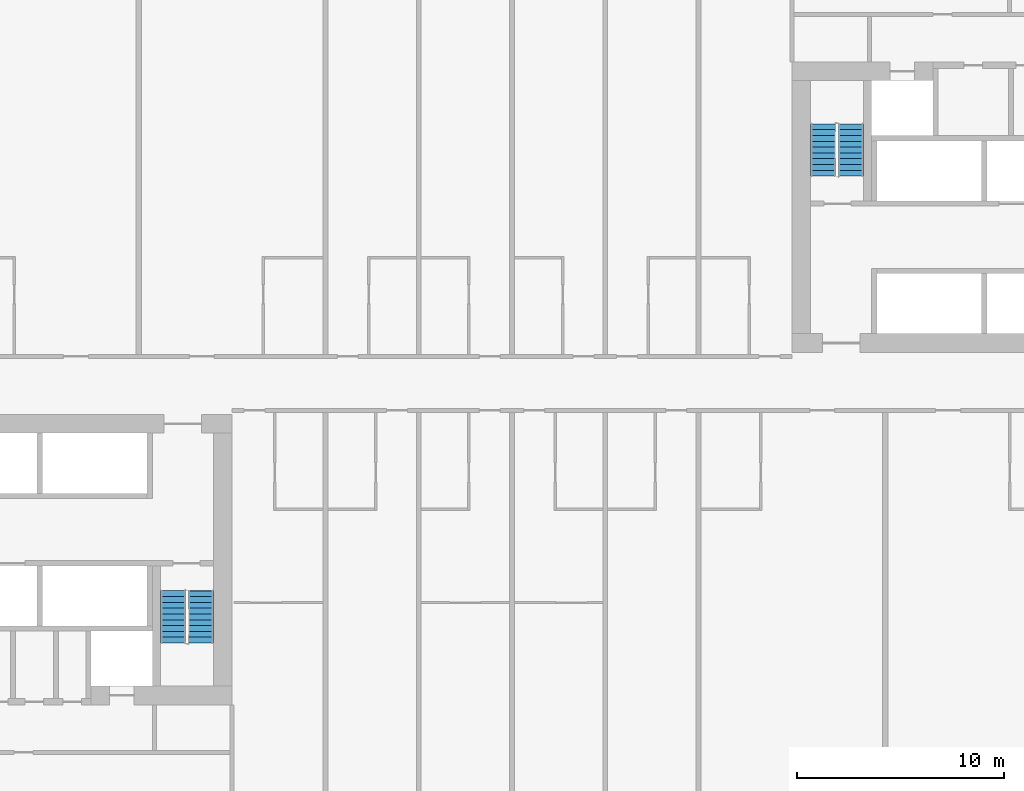
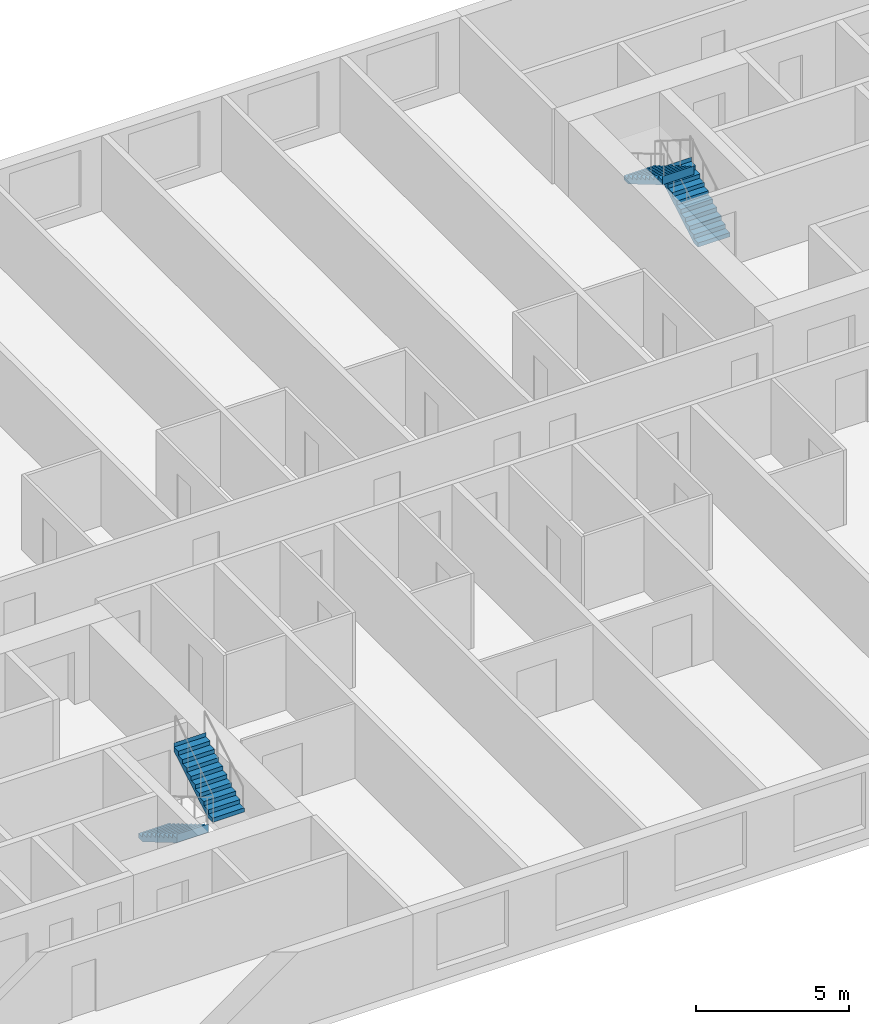
# One storey, part 10 of 12: 4 stair flights, 2 elements without a shape of their own.
"""IFC4 building model written with IfcOpenShell, lengths in metres."""

import ifcopenshell
import ifcopenshell.guid

model = None  # the IFC model being written
_history = None  # IfcOwnerHistory: only IFC2X3 demands one
_inside = {}  # id of a spatial element -> (the spatial element, [elements in it])
_under = {}  # id of a project, library or spatial element -> (it, [spatial elements below it])
_declared = {}  # id of a project -> (the project, [libraries it declares])
_typed = {}  # id of a type object -> (the type object, [elements of that type])
_made_of = {}  # id of a material, layer set ... -> (it, [elements and type objects made of it])


def new_model(schema):
    """Start an empty IFC model of exactly this schema.

    Asked for "IFC4X3", IfcOpenShell would pick the latest addendum, in which some entities
    have other attributes; the version numbers below select the first issue.
    IFC2X3 requires an IfcOwnerHistory on every rooted entity: one is made here for all.
    """
    global model, _history
    if schema == "IFC4X3":
        model = ifcopenshell.file(schema_version=(4, 3, 0, 0))
    else:
        model = ifcopenshell.file(schema=schema)
    _inside.clear()
    _under.clear()
    _declared.clear()
    _typed.clear()
    _made_of.clear()
    _history = None
    if model.schema == "IFC2X3":
        org = make("IfcOrganization", Name="unknown")
        user = make(
            "IfcPersonAndOrganization",
            ThePerson=make("IfcPerson", FamilyName="unknown"),
            TheOrganization=org,
        )
        app = make(
            "IfcApplication",
            ApplicationDeveloper=org,
            Version="unknown",
            ApplicationFullName="unknown",
            ApplicationIdentifier="unknown",
        )
        _history = make(
            "IfcOwnerHistory",
            OwningUser=user,
            OwningApplication=app,
            ChangeAction="ADDED",
            CreationDate=0,
        )
    return model


def make(cls, **values):
    """One entity of the class cls with the attributes given. An attribute that is None is left unset."""
    return model.create_entity(
        cls, **{name: value for name, value in values.items() if value is not None}
    )


def rooted(cls, **values):
    """An entity with a GlobalId (a new one), such as an element, a storey or a relation."""
    return make(cls, GlobalId=ifcopenshell.guid.new(), OwnerHistory=_history, **values)


def si_unit(unit_type, name, prefix=None):
    """IfcSIUnit, for example si_unit("LENGTHUNIT", "METRE", prefix="MILLI")."""
    return make("IfcSIUnit", UnitType=unit_type, Prefix=prefix, Name=name)


def assignment(units):
    """IfcUnitAssignment: the units of a project."""
    return None if units is None else make("IfcUnitAssignment", Units=units)


def point(xyz):
    """IfcCartesianPoint."""
    return None if xyz is None else make("IfcCartesianPoint", Coordinates=xyz)


def direction(xyz):
    """IfcDirection."""
    return None if xyz is None else make("IfcDirection", DirectionRatios=xyz)


def frame(location, z_axis=None, x_axis=None):
    """IfcAxis2Placement3D, a coordinate frame: its origin and axes. An axis left out is left unset."""
    return make(
        "IfcAxis2Placement3D",
        Location=point(location),
        Axis=direction(z_axis),
        RefDirection=direction(x_axis),
    )


def origin():
    """The frame at (0, 0, 0) with its axes left unset."""
    return frame((0.0, 0.0, 0.0))


def place(relative_to, where):
    """IfcLocalPlacement: puts the frame where relative to a parent placement (None: the world)."""
    return make(
        "IfcLocalPlacement", PlacementRelTo=relative_to, RelativePlacement=where
    )


def context(
    kind, dimensions, precision=None, world=None, true_north=None, identifier=None
):
    """IfcGeometricRepresentationContext, for example the 3D "Model" context."""
    return make(
        "IfcGeometricRepresentationContext",
        ContextIdentifier=identifier,
        ContextType=kind,
        CoordinateSpaceDimension=dimensions,
        Precision=precision,
        WorldCoordinateSystem=world,
        TrueNorth=true_north,
    )


def subcontext(parent, identifier, kind, view, scale=None):
    """IfcGeometricRepresentationSubContext, for example "Body" below "Model"."""
    return make(
        "IfcGeometricRepresentationSubContext",
        ContextIdentifier=identifier,
        ContextType=kind,
        ParentContext=parent,
        TargetScale=scale,
        TargetView=view,
    )


def project(units=None, contexts=None):
    """IfcProject with its units and contexts."""
    return rooted(
        "IfcProject",
        Name="project",
        RepresentationContexts=contexts,
        UnitsInContext=assignment(units),
    )


def spatial(cls, under=None, at=None, **own):
    """A site, building, storey or space (cls), placed at a placement, below another one or the project."""
    s = rooted(cls, ObjectPlacement=at, **own)
    if under is not None:
        _under.setdefault(under.id(), (under, []))[1].append(s)
    return s


def faces_of(points, faces, orient=None, outer=None):
    """IfcFace entities. A face is a list of loops; a loop is a list of indices into points, from 0.

    orient and outer hold one flag for each loop. By default every Orientation is true, the
    first loop of a face is its IfcFaceOuterBound and the others are IfcFaceBound.
    """
    made = []
    for i, loops in enumerate(faces):
        bounds = []
        for j, loop in enumerate(loops):
            is_outer = j == 0 if outer is None else outer[i][j]
            bounds.append(
                make(
                    "IfcFaceOuterBound" if is_outer else "IfcFaceBound",
                    Bound=make("IfcPolyLoop", Polygon=[points[k] for k in loop]),
                    Orientation=True if orient is None else orient[i][j],
                )
            )
        made.append(make("IfcFace", Bounds=bounds))
    return made


def faceted_brep(points, faces, orient=None, outer=None, voids=None):
    """IfcFacetedBrep: a solid bounded by flat faces; with voids (closed shells), ...WithVoids."""
    shared = [point(p) for p in points]
    hull = make("IfcClosedShell", CfsFaces=faces_of(shared, faces, orient, outer))
    if voids is None:
        return make("IfcFacetedBrep", Outer=hull)
    return make(
        "IfcFacetedBrepWithVoids",
        Outer=hull,
        Voids=[
            make(cls, CfsFaces=faces_of(shared, fs, o, b)) for cls, fs, o, b in voids
        ],
    )


def shape(context_of_items, identifier, shape_type, items):
    """IfcShapeRepresentation: the items that make up one representation, for example the "Body"."""
    return make(
        "IfcShapeRepresentation",
        ContextOfItems=context_of_items,
        RepresentationIdentifier=identifier,
        RepresentationType=shape_type,
        Items=items,
    )


def material(Name=None, Category=None):
    """IfcMaterial."""
    return make("IfcMaterial", Name=Name, Category=Category)


def made_of(thing, what):
    """Note that an element or type object is made of a material, layer set ...; save() writes the relation."""
    if what is not None:
        _made_of.setdefault(what.id(), (what, []))[1].append(thing)
    return thing


def type_object(cls, material=None, **own):
    """A type object (cls), such as IfcWallType, which elements share."""
    return made_of(rooted(cls, **own), material)


def element(
    cls,
    number,
    at=None,
    inside=None,
    cuts=None,
    type_object=None,
    material=None,
    context=None,
    identifier="Body",
    shape_type=None,
    held_by="IfcProductDefinitionShape",
    body=None,
    shapes=None,
    **own,
):
    """One element of the class cls, such as IfcWall. Its Tag is "e" and its number.

    at: its placement. inside: the storey or other place that contains it. cuts: it is an
    opening in that element (IfcRelVoidsElement). A single representation is given by context,
    identifier, shape_type and body (its items); several are given by shapes. held_by: the class
    of the entity that holds the representations. save() writes the other relations.
    """
    e = rooted(cls, Tag="e%d" % number, ObjectPlacement=at, **own)
    if body is not None:
        shapes = [shape(context, identifier, shape_type, body)]
    if shapes is not None:
        e.Representation = make(held_by, Representations=shapes)
    if inside is not None:
        _inside.setdefault(inside.id(), (inside, []))[1].append(e)
    if cuts is not None:
        rooted(
            "IfcRelVoidsElement", RelatingBuildingElement=cuts, RelatedOpeningElement=e
        )
    if type_object is not None:
        _typed.setdefault(type_object.id(), (type_object, []))[1].append(e)
    return made_of(e, material)


def aggregate(whole, parts):
    """IfcRelAggregates: a whole, such as a stair, and the parts it consists of."""
    return rooted("IfcRelAggregates", RelatingObject=whole, RelatedObjects=parts)


def save(model, path):
    """Write the relations noted so far, then the file.

    IfcRelAggregates (storeys below a building ...), IfcRelContainedInSpatialStructure (elements
    in a storey), IfcRelDefinesByType, IfcRelAssociatesMaterial and IfcRelDeclares: one each for
    every whole, place, type object, material and project.
    """
    for whole, parts in _under.values():
        aggregate(whole, parts)
    for where, things in _inside.values():
        rooted(
            "IfcRelContainedInSpatialStructure",
            RelatedElements=things,
            RelatingStructure=where,
        )
    for kind, things in _typed.values():
        rooted("IfcRelDefinesByType", RelatedObjects=things, RelatingType=kind)
    for what, things in _made_of.values():
        rooted("IfcRelAssociatesMaterial", RelatedObjects=things, RelatingMaterial=what)
    for by, libraries in _declared.values():
        rooted("IfcRelDeclares", RelatingContext=by, RelatedDefinitions=libraries)
    model.write(path)


model = new_model("IFC4")

# Units and contexts
model_context = context("Model", 3, precision=1e-05, world=origin(), true_north=direction((0.0, 1.0)))
body_context = subcontext(model_context, "Body", "Model", "MODEL_VIEW")
ifc_project = project(units=[si_unit("LENGTHUNIT", "METRE"), si_unit("AREAUNIT", "SQUARE_METRE"), si_unit("VOLUMEUNIT", "CUBIC_METRE"), si_unit("PLANEANGLEUNIT", "RADIAN"), si_unit("MASSUNIT", "GRAM", prefix="KILO")], contexts=[model_context])

# Site, building, storey
site_placement = place(None, origin())
site = spatial("IfcSite", under=ifc_project, at=site_placement, CompositionType="ELEMENT")
building_placement = place(site_placement, origin())
building = spatial("IfcBuilding", under=site, at=building_placement, Name="Kajstack Hotel Tower", CompositionType="ELEMENT")
storey_placement = place(building_placement, frame((0.0, 0.0, 96.300048828125)))
storey = spatial("IfcBuildingStorey", under=building, at=storey_placement, Name="L20", CompositionType="ELEMENT", Elevation=96.300048828125)

# Stair, stair flights
ifc_material = material(Name="Concrete C40/50", Category="concrete")
stair_type = type_object("IfcStairType", Name="Exit stair 1200", PredefinedType="HALF_TURN_STAIR", material=ifc_material)
stair_1_placement = place(storey_placement, origin())
stair_1 = element("IfcStair", 1, at=stair_1_placement, inside=storey, type_object=stair_type, Name="L20 stair W2", PredefinedType="HALF_TURN_STAIR")
stair_flight_type = type_object("IfcStairFlightType", Name="Exit stair flight 1200", PredefinedType="STRAIGHT", material=ifc_material)
stair_flight_1_placement = place(storey_placement, frame((-16.35009765625, -10.0, 0.0), z_axis=(0.0, 0.0, 1.0), x_axis=(0.0, -1.0, 0.0)))
stair_flight_1 = element("IfcStairFlight", 2, at=stair_flight_1_placement, type_object=stair_flight_type, Name="W2 flight 1", NumberOfRisers=10, NumberOfTreads=9, PredefinedType="STRAIGHT", RiserHeight=0.165, TreadLength=0.28, context=body_context, shape_type="Brep", body=[
    faceted_brep([(0.295654296875, -0.60009765625, 0.0), (2.5205078125, -0.60009765625, 1.31103515625), (2.5205078125, -0.60009765625, 1.64990234375), (2.52001953125, -0.60009765625, 1.64990234375), (2.52001953125, -0.60009765625, 1.485107421875), (2.239990234375, -0.60009765625, 1.485107421875), (2.239990234375, -0.60009765625, 1.320068359375), (1.9599609375, -0.60009765625, 1.320068359375), (1.9599609375, -0.60009765625, 1.155029296875), (1.679931640625, -0.60009765625, 1.155029296875), (1.679931640625, -0.60009765625, 0.989990234375), (1.39990234375, -0.60009765625, 0.989990234375), (1.39990234375, -0.60009765625, 0.824951171875), (1.1201171875, -0.60009765625, 0.824951171875), (1.1201171875, -0.60009765625, 0.659912109375), (0.840087890625, -0.60009765625, 0.659912109375), (0.840087890625, -0.60009765625, 0.4951171875), (0.56005859375, -0.60009765625, 0.4951171875), (0.56005859375, -0.60009765625, 0.330078125), (0.280029296875, -0.60009765625, 0.330078125), (0.280029296875, -0.60009765625, 0.1650390625), (-0.00048828125, -0.60009765625, 0.1650390625), (-0.00048828125, -0.60009765625, 0.0), (-0.00048828125, 0.60009765625, 0.0), (-0.00048828125, 0.60009765625, 0.1650390625), (0.280029296875, 0.60009765625, 0.1650390625), (0.280029296875, 0.60009765625, 0.330078125), (0.56005859375, 0.60009765625, 0.330078125), (0.56005859375, 0.60009765625, 0.4951171875), (0.840087890625, 0.60009765625, 0.4951171875), (0.840087890625, 0.60009765625, 0.659912109375), (1.1201171875, 0.60009765625, 0.659912109375), (1.1201171875, 0.60009765625, 0.824951171875), (1.39990234375, 0.60009765625, 0.824951171875), (1.39990234375, 0.60009765625, 0.989990234375), (1.679931640625, 0.60009765625, 0.989990234375), (1.679931640625, 0.60009765625, 1.155029296875), (1.9599609375, 0.60009765625, 1.155029296875), (1.9599609375, 0.60009765625, 1.320068359375), (2.239990234375, 0.60009765625, 1.320068359375), (2.239990234375, 0.60009765625, 1.485107421875), (2.52001953125, 0.60009765625, 1.485107421875), (2.52001953125, 0.60009765625, 1.64990234375), (2.5205078125, 0.60009765625, 1.64990234375), (2.5205078125, 0.60009765625, 1.31103515625), (0.295654296875, 0.60009765625, 0.0), (-0.00048828125, -0.300048828125, 0.1650390625), (-0.00048828125, 0.0, 0.1650390625), (-0.00048828125, 0.300048828125, 0.1650390625), (-0.00048828125, 0.300048828125, 0.0), (-0.00048828125, 0.0, 0.0), (-0.00048828125, -0.300048828125, 0.0), (0.280029296875, -0.300048828125, 0.1650390625), (0.280029296875, 0.0, 0.1650390625), (0.280029296875, 0.300048828125, 0.1650390625), (0.280029296875, -0.300048828125, 0.330078125), (0.280029296875, 0.0, 0.330078125), (0.280029296875, 0.300048828125, 0.330078125), (0.56005859375, -0.300048828125, 0.330078125), (0.56005859375, 0.0, 0.330078125), (0.56005859375, 0.300048828125, 0.330078125), (0.56005859375, -0.300048828125, 0.4951171875), (0.56005859375, 0.0, 0.4951171875), (0.56005859375, 0.300048828125, 0.4951171875), (0.840087890625, -0.300048828125, 0.4951171875), (0.840087890625, 0.0, 0.4951171875), (0.840087890625, 0.300048828125, 0.4951171875), (0.840087890625, -0.300048828125, 0.659912109375), (0.840087890625, 0.0, 0.659912109375), (0.840087890625, 0.300048828125, 0.659912109375), (1.1201171875, -0.300048828125, 0.659912109375), (1.1201171875, 0.0, 0.659912109375), (1.1201171875, 0.300048828125, 0.659912109375), (1.1201171875, -0.300048828125, 0.824951171875), (1.1201171875, 0.0, 0.824951171875), (1.1201171875, 0.300048828125, 0.824951171875), (1.39990234375, -0.300048828125, 0.824951171875), (1.39990234375, 0.0, 0.824951171875), (1.39990234375, 0.300048828125, 0.824951171875), (1.39990234375, -0.300048828125, 0.989990234375), (1.39990234375, 0.0, 0.989990234375), (1.39990234375, 0.300048828125, 0.989990234375), (1.679931640625, -0.300048828125, 0.989990234375), (1.679931640625, 0.0, 0.989990234375), (1.679931640625, 0.300048828125, 0.989990234375), (1.679931640625, -0.300048828125, 1.155029296875), (1.679931640625, 0.0, 1.155029296875), (1.679931640625, 0.300048828125, 1.155029296875), (1.9599609375, -0.300048828125, 1.155029296875), (1.9599609375, 0.0, 1.155029296875), (1.9599609375, 0.300048828125, 1.155029296875), (1.9599609375, -0.300048828125, 1.320068359375), (1.9599609375, 0.0, 1.320068359375), (1.9599609375, 0.300048828125, 1.320068359375), (2.239990234375, -0.300048828125, 1.320068359375), (2.239990234375, 0.0, 1.320068359375), (2.239990234375, 0.300048828125, 1.320068359375), (2.239990234375, -0.300048828125, 1.485107421875), (2.239990234375, 0.0, 1.485107421875), (2.239990234375, 0.300048828125, 1.485107421875), (2.52001953125, -0.300048828125, 1.485107421875), (2.52001953125, 0.0, 1.485107421875), (2.52001953125, 0.300048828125, 1.485107421875), (2.52001953125, -0.300048828125, 1.64990234375), (2.52001953125, 0.0, 1.64990234375), (2.52001953125, 0.300048828125, 1.64990234375), (2.5205078125, -0.300048828125, 1.64990234375), (2.5205078125, 0.0, 1.64990234375), (2.5205078125, 0.300048828125, 1.64990234375), (2.5205078125, -0.300048828125, 1.31103515625), (2.5205078125, 0.0, 1.31103515625), (2.5205078125, 0.300048828125, 1.31103515625), (0.295654296875, -0.300048828125, 0.0), (0.295654296875, 0.0, 0.0), (0.295654296875, 0.300048828125, 0.0)], [[[0, 1, 2, 3, 4, 5, 6, 7, 8, 9, 10, 11, 12, 13, 14, 15, 16, 17, 18, 19, 20, 21, 22]], [[23, 24, 25, 26, 27, 28, 29, 30, 31, 32, 33, 34, 35, 36, 37, 38, 39, 40, 41, 42, 43, 44, 45]], [[21, 46, 47, 48, 24, 23, 49, 50, 51, 22]], [[20, 52, 53, 54, 25, 24, 48, 47, 46, 21]], [[19, 55, 56, 57, 26, 25, 54, 53, 52, 20]], [[18, 58, 59, 60, 27, 26, 57, 56, 55, 19]], [[17, 61, 62, 63, 28, 27, 60, 59, 58, 18]], [[16, 64, 65, 66, 29, 28, 63, 62, 61, 17]], [[15, 67, 68, 69, 30, 29, 66, 65, 64, 16]], [[14, 70, 71, 72, 31, 30, 69, 68, 67, 15]], [[13, 73, 74, 75, 32, 31, 72, 71, 70, 14]], [[12, 76, 77, 78, 33, 32, 75, 74, 73, 13]], [[11, 79, 80, 81, 34, 33, 78, 77, 76, 12]], [[10, 82, 83, 84, 35, 34, 81, 80, 79, 11]], [[9, 85, 86, 87, 36, 35, 84, 83, 82, 10]], [[8, 88, 89, 90, 37, 36, 87, 86, 85, 9]], [[7, 91, 92, 93, 38, 37, 90, 89, 88, 8]], [[6, 94, 95, 96, 39, 38, 93, 92, 91, 7]], [[5, 97, 98, 99, 40, 39, 96, 95, 94, 6]], [[4, 100, 101, 102, 41, 40, 99, 98, 97, 5]], [[3, 103, 104, 105, 42, 41, 102, 101, 100, 4]], [[2, 106, 107, 108, 43, 42, 105, 104, 103, 3]], [[1, 109, 110, 111, 44, 43, 108, 107, 106, 2]], [[0, 112, 113, 114, 45, 44, 111, 110, 109, 1]], [[22, 51, 50, 49, 23, 45, 114, 113, 112, 0]]]),
])
stair_flight_2_placement = place(storey_placement, frame((-15.0, -12.52001953125, 1.64990234375), z_axis=(0.0, 0.0, 1.0), x_axis=(0.0, 1.0, 0.0)))
stair_flight_2 = element("IfcStairFlight", 3, at=stair_flight_2_placement, type_object=stair_flight_type, Name="W2 flight 2", NumberOfRisers=10, NumberOfTreads=9, PredefinedType="STRAIGHT", RiserHeight=0.165, TreadLength=0.28, context=body_context, shape_type="Brep", body=[
    faceted_brep([(0.295654296875, -0.60009765625, 0.0), (2.5205078125, -0.60009765625, 1.31103515625), (2.5205078125, -0.60009765625, 1.64990234375), (2.52001953125, -0.60009765625, 1.64990234375), (2.52001953125, -0.60009765625, 1.485107421875), (2.239990234375, -0.60009765625, 1.485107421875), (2.239990234375, -0.60009765625, 1.320068359375), (1.9599609375, -0.60009765625, 1.320068359375), (1.9599609375, -0.60009765625, 1.155029296875), (1.679931640625, -0.60009765625, 1.155029296875), (1.679931640625, -0.60009765625, 0.989990234375), (1.39990234375, -0.60009765625, 0.989990234375), (1.39990234375, -0.60009765625, 0.824951171875), (1.1201171875, -0.60009765625, 0.824951171875), (1.1201171875, -0.60009765625, 0.659912109375), (0.840087890625, -0.60009765625, 0.659912109375), (0.840087890625, -0.60009765625, 0.4951171875), (0.56005859375, -0.60009765625, 0.4951171875), (0.56005859375, -0.60009765625, 0.330078125), (0.280029296875, -0.60009765625, 0.330078125), (0.280029296875, -0.60009765625, 0.1650390625), (-0.00048828125, -0.60009765625, 0.1650390625), (-0.00048828125, -0.60009765625, 0.0), (-0.00048828125, 0.60009765625, 0.0), (-0.00048828125, 0.60009765625, 0.1650390625), (0.280029296875, 0.60009765625, 0.1650390625), (0.280029296875, 0.60009765625, 0.330078125), (0.56005859375, 0.60009765625, 0.330078125), (0.56005859375, 0.60009765625, 0.4951171875), (0.840087890625, 0.60009765625, 0.4951171875), (0.840087890625, 0.60009765625, 0.659912109375), (1.1201171875, 0.60009765625, 0.659912109375), (1.1201171875, 0.60009765625, 0.824951171875), (1.39990234375, 0.60009765625, 0.824951171875), (1.39990234375, 0.60009765625, 0.989990234375), (1.679931640625, 0.60009765625, 0.989990234375), (1.679931640625, 0.60009765625, 1.155029296875), (1.9599609375, 0.60009765625, 1.155029296875), (1.9599609375, 0.60009765625, 1.320068359375), (2.239990234375, 0.60009765625, 1.320068359375), (2.239990234375, 0.60009765625, 1.485107421875), (2.52001953125, 0.60009765625, 1.485107421875), (2.52001953125, 0.60009765625, 1.64990234375), (2.5205078125, 0.60009765625, 1.64990234375), (2.5205078125, 0.60009765625, 1.31103515625), (0.295654296875, 0.60009765625, 0.0), (-0.00048828125, -0.300048828125, 0.1650390625), (-0.00048828125, 0.0, 0.1650390625), (-0.00048828125, 0.300048828125, 0.1650390625), (-0.00048828125, 0.300048828125, 0.0), (-0.00048828125, 0.0, 0.0), (-0.00048828125, -0.300048828125, 0.0), (0.280029296875, -0.300048828125, 0.1650390625), (0.280029296875, 0.0, 0.1650390625), (0.280029296875, 0.300048828125, 0.1650390625), (0.280029296875, -0.300048828125, 0.330078125), (0.280029296875, 0.0, 0.330078125), (0.280029296875, 0.300048828125, 0.330078125), (0.56005859375, -0.300048828125, 0.330078125), (0.56005859375, 0.0, 0.330078125), (0.56005859375, 0.300048828125, 0.330078125), (0.56005859375, -0.300048828125, 0.4951171875), (0.56005859375, 0.0, 0.4951171875), (0.56005859375, 0.300048828125, 0.4951171875), (0.840087890625, -0.300048828125, 0.4951171875), (0.840087890625, 0.0, 0.4951171875), (0.840087890625, 0.300048828125, 0.4951171875), (0.840087890625, -0.300048828125, 0.659912109375), (0.840087890625, 0.0, 0.659912109375), (0.840087890625, 0.300048828125, 0.659912109375), (1.1201171875, -0.300048828125, 0.659912109375), (1.1201171875, 0.0, 0.659912109375), (1.1201171875, 0.300048828125, 0.659912109375), (1.1201171875, -0.300048828125, 0.824951171875), (1.1201171875, 0.0, 0.824951171875), (1.1201171875, 0.300048828125, 0.824951171875), (1.39990234375, -0.300048828125, 0.824951171875), (1.39990234375, 0.0, 0.824951171875), (1.39990234375, 0.300048828125, 0.824951171875), (1.39990234375, -0.300048828125, 0.989990234375), (1.39990234375, 0.0, 0.989990234375), (1.39990234375, 0.300048828125, 0.989990234375), (1.679931640625, -0.300048828125, 0.989990234375), (1.679931640625, 0.0, 0.989990234375), (1.679931640625, 0.300048828125, 0.989990234375), (1.679931640625, -0.300048828125, 1.155029296875), (1.679931640625, 0.0, 1.155029296875), (1.679931640625, 0.300048828125, 1.155029296875), (1.9599609375, -0.300048828125, 1.155029296875), (1.9599609375, 0.0, 1.155029296875), (1.9599609375, 0.300048828125, 1.155029296875), (1.9599609375, -0.300048828125, 1.320068359375), (1.9599609375, 0.0, 1.320068359375), (1.9599609375, 0.300048828125, 1.320068359375), (2.239990234375, -0.300048828125, 1.320068359375), (2.239990234375, 0.0, 1.320068359375), (2.239990234375, 0.300048828125, 1.320068359375), (2.239990234375, -0.300048828125, 1.485107421875), (2.239990234375, 0.0, 1.485107421875), (2.239990234375, 0.300048828125, 1.485107421875), (2.52001953125, -0.300048828125, 1.485107421875), (2.52001953125, 0.0, 1.485107421875), (2.52001953125, 0.300048828125, 1.485107421875), (2.52001953125, -0.300048828125, 1.64990234375), (2.52001953125, 0.0, 1.64990234375), (2.52001953125, 0.300048828125, 1.64990234375), (2.5205078125, -0.300048828125, 1.64990234375), (2.5205078125, 0.0, 1.64990234375), (2.5205078125, 0.300048828125, 1.64990234375), (2.5205078125, -0.300048828125, 1.31103515625), (2.5205078125, 0.0, 1.31103515625), (2.5205078125, 0.300048828125, 1.31103515625), (0.295654296875, -0.300048828125, 0.0), (0.295654296875, 0.0, 0.0), (0.295654296875, 0.300048828125, 0.0)], [[[0, 1, 2, 3, 4, 5, 6, 7, 8, 9, 10, 11, 12, 13, 14, 15, 16, 17, 18, 19, 20, 21, 22]], [[23, 24, 25, 26, 27, 28, 29, 30, 31, 32, 33, 34, 35, 36, 37, 38, 39, 40, 41, 42, 43, 44, 45]], [[21, 46, 47, 48, 24, 23, 49, 50, 51, 22]], [[20, 52, 53, 54, 25, 24, 48, 47, 46, 21]], [[19, 55, 56, 57, 26, 25, 54, 53, 52, 20]], [[18, 58, 59, 60, 27, 26, 57, 56, 55, 19]], [[17, 61, 62, 63, 28, 27, 60, 59, 58, 18]], [[16, 64, 65, 66, 29, 28, 63, 62, 61, 17]], [[15, 67, 68, 69, 30, 29, 66, 65, 64, 16]], [[14, 70, 71, 72, 31, 30, 69, 68, 67, 15]], [[13, 73, 74, 75, 32, 31, 72, 71, 70, 14]], [[12, 76, 77, 78, 33, 32, 75, 74, 73, 13]], [[11, 79, 80, 81, 34, 33, 78, 77, 76, 12]], [[10, 82, 83, 84, 35, 34, 81, 80, 79, 11]], [[9, 85, 86, 87, 36, 35, 84, 83, 82, 10]], [[8, 88, 89, 90, 37, 36, 87, 86, 85, 9]], [[7, 91, 92, 93, 38, 37, 90, 89, 88, 8]], [[6, 94, 95, 96, 39, 38, 93, 92, 91, 7]], [[5, 97, 98, 99, 40, 39, 96, 95, 94, 6]], [[4, 100, 101, 102, 41, 40, 99, 98, 97, 5]], [[3, 103, 104, 105, 42, 41, 102, 101, 100, 4]], [[2, 106, 107, 108, 43, 42, 105, 104, 103, 3]], [[1, 109, 110, 111, 44, 43, 108, 107, 106, 2]], [[0, 112, 113, 114, 45, 44, 111, 110, 109, 1]], [[22, 51, 50, 49, 23, 45, 114, 113, 112, 0]]]),
])
aggregate(stair_1, [stair_flight_1, stair_flight_2])

stair_2_placement = place(storey_placement, origin())
stair_2 = element("IfcStair", 4, at=stair_2_placement, inside=storey, type_object=stair_type, Name="L20 stair E2", PredefinedType="HALF_TURN_STAIR")
stair_flight_3_placement = place(storey_placement, frame((16.35009765625, 10.0, 0.0), z_axis=(0.0, 0.0, 1.0), x_axis=(0.0, 1.0, 0.0)))
stair_flight_3 = element("IfcStairFlight", 5, at=stair_flight_3_placement, type_object=stair_flight_type, Name="E2 flight 1", NumberOfRisers=10, NumberOfTreads=9, PredefinedType="STRAIGHT", RiserHeight=0.165, TreadLength=0.28, context=body_context, shape_type="Brep", body=[
    faceted_brep([(0.295654296875, -0.60009765625, 0.0), (2.5205078125, -0.60009765625, 1.31103515625), (2.5205078125, -0.60009765625, 1.64990234375), (2.52001953125, -0.60009765625, 1.64990234375), (2.52001953125, -0.60009765625, 1.485107421875), (2.239990234375, -0.60009765625, 1.485107421875), (2.239990234375, -0.60009765625, 1.320068359375), (1.9599609375, -0.60009765625, 1.320068359375), (1.9599609375, -0.60009765625, 1.155029296875), (1.679931640625, -0.60009765625, 1.155029296875), (1.679931640625, -0.60009765625, 0.989990234375), (1.39990234375, -0.60009765625, 0.989990234375), (1.39990234375, -0.60009765625, 0.824951171875), (1.1201171875, -0.60009765625, 0.824951171875), (1.1201171875, -0.60009765625, 0.659912109375), (0.840087890625, -0.60009765625, 0.659912109375), (0.840087890625, -0.60009765625, 0.4951171875), (0.56005859375, -0.60009765625, 0.4951171875), (0.56005859375, -0.60009765625, 0.330078125), (0.280029296875, -0.60009765625, 0.330078125), (0.280029296875, -0.60009765625, 0.1650390625), (-0.00048828125, -0.60009765625, 0.1650390625), (-0.00048828125, -0.60009765625, 0.0), (-0.00048828125, 0.60009765625, 0.0), (-0.00048828125, 0.60009765625, 0.1650390625), (0.280029296875, 0.60009765625, 0.1650390625), (0.280029296875, 0.60009765625, 0.330078125), (0.56005859375, 0.60009765625, 0.330078125), (0.56005859375, 0.60009765625, 0.4951171875), (0.840087890625, 0.60009765625, 0.4951171875), (0.840087890625, 0.60009765625, 0.659912109375), (1.1201171875, 0.60009765625, 0.659912109375), (1.1201171875, 0.60009765625, 0.824951171875), (1.39990234375, 0.60009765625, 0.824951171875), (1.39990234375, 0.60009765625, 0.989990234375), (1.679931640625, 0.60009765625, 0.989990234375), (1.679931640625, 0.60009765625, 1.155029296875), (1.9599609375, 0.60009765625, 1.155029296875), (1.9599609375, 0.60009765625, 1.320068359375), (2.239990234375, 0.60009765625, 1.320068359375), (2.239990234375, 0.60009765625, 1.485107421875), (2.52001953125, 0.60009765625, 1.485107421875), (2.52001953125, 0.60009765625, 1.64990234375), (2.5205078125, 0.60009765625, 1.64990234375), (2.5205078125, 0.60009765625, 1.31103515625), (0.295654296875, 0.60009765625, 0.0), (-0.00048828125, -0.300048828125, 0.1650390625), (-0.00048828125, 0.0, 0.1650390625), (-0.00048828125, 0.300048828125, 0.1650390625), (-0.00048828125, 0.300048828125, 0.0), (-0.00048828125, 0.0, 0.0), (-0.00048828125, -0.300048828125, 0.0), (0.280029296875, -0.300048828125, 0.1650390625), (0.280029296875, 0.0, 0.1650390625), (0.280029296875, 0.300048828125, 0.1650390625), (0.280029296875, -0.300048828125, 0.330078125), (0.280029296875, 0.0, 0.330078125), (0.280029296875, 0.300048828125, 0.330078125), (0.56005859375, -0.300048828125, 0.330078125), (0.56005859375, 0.0, 0.330078125), (0.56005859375, 0.300048828125, 0.330078125), (0.56005859375, -0.300048828125, 0.4951171875), (0.56005859375, 0.0, 0.4951171875), (0.56005859375, 0.300048828125, 0.4951171875), (0.840087890625, -0.300048828125, 0.4951171875), (0.840087890625, 0.0, 0.4951171875), (0.840087890625, 0.300048828125, 0.4951171875), (0.840087890625, -0.300048828125, 0.659912109375), (0.840087890625, 0.0, 0.659912109375), (0.840087890625, 0.300048828125, 0.659912109375), (1.1201171875, -0.300048828125, 0.659912109375), (1.1201171875, 0.0, 0.659912109375), (1.1201171875, 0.300048828125, 0.659912109375), (1.1201171875, -0.300048828125, 0.824951171875), (1.1201171875, 0.0, 0.824951171875), (1.1201171875, 0.300048828125, 0.824951171875), (1.39990234375, -0.300048828125, 0.824951171875), (1.39990234375, 0.0, 0.824951171875), (1.39990234375, 0.300048828125, 0.824951171875), (1.39990234375, -0.300048828125, 0.989990234375), (1.39990234375, 0.0, 0.989990234375), (1.39990234375, 0.300048828125, 0.989990234375), (1.679931640625, -0.300048828125, 0.989990234375), (1.679931640625, 0.0, 0.989990234375), (1.679931640625, 0.300048828125, 0.989990234375), (1.679931640625, -0.300048828125, 1.155029296875), (1.679931640625, 0.0, 1.155029296875), (1.679931640625, 0.300048828125, 1.155029296875), (1.9599609375, -0.300048828125, 1.155029296875), (1.9599609375, 0.0, 1.155029296875), (1.9599609375, 0.300048828125, 1.155029296875), (1.9599609375, -0.300048828125, 1.320068359375), (1.9599609375, 0.0, 1.320068359375), (1.9599609375, 0.300048828125, 1.320068359375), (2.239990234375, -0.300048828125, 1.320068359375), (2.239990234375, 0.0, 1.320068359375), (2.239990234375, 0.300048828125, 1.320068359375), (2.239990234375, -0.300048828125, 1.485107421875), (2.239990234375, 0.0, 1.485107421875), (2.239990234375, 0.300048828125, 1.485107421875), (2.52001953125, -0.300048828125, 1.485107421875), (2.52001953125, 0.0, 1.485107421875), (2.52001953125, 0.300048828125, 1.485107421875), (2.52001953125, -0.300048828125, 1.64990234375), (2.52001953125, 0.0, 1.64990234375), (2.52001953125, 0.300048828125, 1.64990234375), (2.5205078125, -0.300048828125, 1.64990234375), (2.5205078125, 0.0, 1.64990234375), (2.5205078125, 0.300048828125, 1.64990234375), (2.5205078125, -0.300048828125, 1.31103515625), (2.5205078125, 0.0, 1.31103515625), (2.5205078125, 0.300048828125, 1.31103515625), (0.295654296875, -0.300048828125, 0.0), (0.295654296875, 0.0, 0.0), (0.295654296875, 0.300048828125, 0.0)], [[[0, 1, 2, 3, 4, 5, 6, 7, 8, 9, 10, 11, 12, 13, 14, 15, 16, 17, 18, 19, 20, 21, 22]], [[23, 24, 25, 26, 27, 28, 29, 30, 31, 32, 33, 34, 35, 36, 37, 38, 39, 40, 41, 42, 43, 44, 45]], [[21, 46, 47, 48, 24, 23, 49, 50, 51, 22]], [[20, 52, 53, 54, 25, 24, 48, 47, 46, 21]], [[19, 55, 56, 57, 26, 25, 54, 53, 52, 20]], [[18, 58, 59, 60, 27, 26, 57, 56, 55, 19]], [[17, 61, 62, 63, 28, 27, 60, 59, 58, 18]], [[16, 64, 65, 66, 29, 28, 63, 62, 61, 17]], [[15, 67, 68, 69, 30, 29, 66, 65, 64, 16]], [[14, 70, 71, 72, 31, 30, 69, 68, 67, 15]], [[13, 73, 74, 75, 32, 31, 72, 71, 70, 14]], [[12, 76, 77, 78, 33, 32, 75, 74, 73, 13]], [[11, 79, 80, 81, 34, 33, 78, 77, 76, 12]], [[10, 82, 83, 84, 35, 34, 81, 80, 79, 11]], [[9, 85, 86, 87, 36, 35, 84, 83, 82, 10]], [[8, 88, 89, 90, 37, 36, 87, 86, 85, 9]], [[7, 91, 92, 93, 38, 37, 90, 89, 88, 8]], [[6, 94, 95, 96, 39, 38, 93, 92, 91, 7]], [[5, 97, 98, 99, 40, 39, 96, 95, 94, 6]], [[4, 100, 101, 102, 41, 40, 99, 98, 97, 5]], [[3, 103, 104, 105, 42, 41, 102, 101, 100, 4]], [[2, 106, 107, 108, 43, 42, 105, 104, 103, 3]], [[1, 109, 110, 111, 44, 43, 108, 107, 106, 2]], [[0, 112, 113, 114, 45, 44, 111, 110, 109, 1]], [[22, 51, 50, 49, 23, 45, 114, 113, 112, 0]]]),
])
stair_flight_4_placement = place(storey_placement, frame((15.0, 12.52001953125, 1.64990234375), z_axis=(0.0, 0.0, 1.0), x_axis=(0.0, -1.0, 0.0)))
stair_flight_4 = element("IfcStairFlight", 6, at=stair_flight_4_placement, type_object=stair_flight_type, Name="E2 flight 2", NumberOfRisers=10, NumberOfTreads=9, PredefinedType="STRAIGHT", RiserHeight=0.165, TreadLength=0.28, context=body_context, shape_type="Brep", body=[
    faceted_brep([(0.295654296875, -0.60009765625, 0.0), (2.5205078125, -0.60009765625, 1.31103515625), (2.5205078125, -0.60009765625, 1.64990234375), (2.52001953125, -0.60009765625, 1.64990234375), (2.52001953125, -0.60009765625, 1.485107421875), (2.239990234375, -0.60009765625, 1.485107421875), (2.239990234375, -0.60009765625, 1.320068359375), (1.9599609375, -0.60009765625, 1.320068359375), (1.9599609375, -0.60009765625, 1.155029296875), (1.679931640625, -0.60009765625, 1.155029296875), (1.679931640625, -0.60009765625, 0.989990234375), (1.39990234375, -0.60009765625, 0.989990234375), (1.39990234375, -0.60009765625, 0.824951171875), (1.1201171875, -0.60009765625, 0.824951171875), (1.1201171875, -0.60009765625, 0.659912109375), (0.840087890625, -0.60009765625, 0.659912109375), (0.840087890625, -0.60009765625, 0.4951171875), (0.56005859375, -0.60009765625, 0.4951171875), (0.56005859375, -0.60009765625, 0.330078125), (0.280029296875, -0.60009765625, 0.330078125), (0.280029296875, -0.60009765625, 0.1650390625), (-0.00048828125, -0.60009765625, 0.1650390625), (-0.00048828125, -0.60009765625, 0.0), (-0.00048828125, 0.60009765625, 0.0), (-0.00048828125, 0.60009765625, 0.1650390625), (0.280029296875, 0.60009765625, 0.1650390625), (0.280029296875, 0.60009765625, 0.330078125), (0.56005859375, 0.60009765625, 0.330078125), (0.56005859375, 0.60009765625, 0.4951171875), (0.840087890625, 0.60009765625, 0.4951171875), (0.840087890625, 0.60009765625, 0.659912109375), (1.1201171875, 0.60009765625, 0.659912109375), (1.1201171875, 0.60009765625, 0.824951171875), (1.39990234375, 0.60009765625, 0.824951171875), (1.39990234375, 0.60009765625, 0.989990234375), (1.679931640625, 0.60009765625, 0.989990234375), (1.679931640625, 0.60009765625, 1.155029296875), (1.9599609375, 0.60009765625, 1.155029296875), (1.9599609375, 0.60009765625, 1.320068359375), (2.239990234375, 0.60009765625, 1.320068359375), (2.239990234375, 0.60009765625, 1.485107421875), (2.52001953125, 0.60009765625, 1.485107421875), (2.52001953125, 0.60009765625, 1.64990234375), (2.5205078125, 0.60009765625, 1.64990234375), (2.5205078125, 0.60009765625, 1.31103515625), (0.295654296875, 0.60009765625, 0.0), (-0.00048828125, -0.300048828125, 0.1650390625), (-0.00048828125, 0.0, 0.1650390625), (-0.00048828125, 0.300048828125, 0.1650390625), (-0.00048828125, 0.300048828125, 0.0), (-0.00048828125, 0.0, 0.0), (-0.00048828125, -0.300048828125, 0.0), (0.280029296875, -0.300048828125, 0.1650390625), (0.280029296875, 0.0, 0.1650390625), (0.280029296875, 0.300048828125, 0.1650390625), (0.280029296875, -0.300048828125, 0.330078125), (0.280029296875, 0.0, 0.330078125), (0.280029296875, 0.300048828125, 0.330078125), (0.56005859375, -0.300048828125, 0.330078125), (0.56005859375, 0.0, 0.330078125), (0.56005859375, 0.300048828125, 0.330078125), (0.56005859375, -0.300048828125, 0.4951171875), (0.56005859375, 0.0, 0.4951171875), (0.56005859375, 0.300048828125, 0.4951171875), (0.840087890625, -0.300048828125, 0.4951171875), (0.840087890625, 0.0, 0.4951171875), (0.840087890625, 0.300048828125, 0.4951171875), (0.840087890625, -0.300048828125, 0.659912109375), (0.840087890625, 0.0, 0.659912109375), (0.840087890625, 0.300048828125, 0.659912109375), (1.1201171875, -0.300048828125, 0.659912109375), (1.1201171875, 0.0, 0.659912109375), (1.1201171875, 0.300048828125, 0.659912109375), (1.1201171875, -0.300048828125, 0.824951171875), (1.1201171875, 0.0, 0.824951171875), (1.1201171875, 0.300048828125, 0.824951171875), (1.39990234375, -0.300048828125, 0.824951171875), (1.39990234375, 0.0, 0.824951171875), (1.39990234375, 0.300048828125, 0.824951171875), (1.39990234375, -0.300048828125, 0.989990234375), (1.39990234375, 0.0, 0.989990234375), (1.39990234375, 0.300048828125, 0.989990234375), (1.679931640625, -0.300048828125, 0.989990234375), (1.679931640625, 0.0, 0.989990234375), (1.679931640625, 0.300048828125, 0.989990234375), (1.679931640625, -0.300048828125, 1.155029296875), (1.679931640625, 0.0, 1.155029296875), (1.679931640625, 0.300048828125, 1.155029296875), (1.9599609375, -0.300048828125, 1.155029296875), (1.9599609375, 0.0, 1.155029296875), (1.9599609375, 0.300048828125, 1.155029296875), (1.9599609375, -0.300048828125, 1.320068359375), (1.9599609375, 0.0, 1.320068359375), (1.9599609375, 0.300048828125, 1.320068359375), (2.239990234375, -0.300048828125, 1.320068359375), (2.239990234375, 0.0, 1.320068359375), (2.239990234375, 0.300048828125, 1.320068359375), (2.239990234375, -0.300048828125, 1.485107421875), (2.239990234375, 0.0, 1.485107421875), (2.239990234375, 0.300048828125, 1.485107421875), (2.52001953125, -0.300048828125, 1.485107421875), (2.52001953125, 0.0, 1.485107421875), (2.52001953125, 0.300048828125, 1.485107421875), (2.52001953125, -0.300048828125, 1.64990234375), (2.52001953125, 0.0, 1.64990234375), (2.52001953125, 0.300048828125, 1.64990234375), (2.5205078125, -0.300048828125, 1.64990234375), (2.5205078125, 0.0, 1.64990234375), (2.5205078125, 0.300048828125, 1.64990234375), (2.5205078125, -0.300048828125, 1.31103515625), (2.5205078125, 0.0, 1.31103515625), (2.5205078125, 0.300048828125, 1.31103515625), (0.295654296875, -0.300048828125, 0.0), (0.295654296875, 0.0, 0.0), (0.295654296875, 0.300048828125, 0.0)], [[[0, 1, 2, 3, 4, 5, 6, 7, 8, 9, 10, 11, 12, 13, 14, 15, 16, 17, 18, 19, 20, 21, 22]], [[23, 24, 25, 26, 27, 28, 29, 30, 31, 32, 33, 34, 35, 36, 37, 38, 39, 40, 41, 42, 43, 44, 45]], [[21, 46, 47, 48, 24, 23, 49, 50, 51, 22]], [[20, 52, 53, 54, 25, 24, 48, 47, 46, 21]], [[19, 55, 56, 57, 26, 25, 54, 53, 52, 20]], [[18, 58, 59, 60, 27, 26, 57, 56, 55, 19]], [[17, 61, 62, 63, 28, 27, 60, 59, 58, 18]], [[16, 64, 65, 66, 29, 28, 63, 62, 61, 17]], [[15, 67, 68, 69, 30, 29, 66, 65, 64, 16]], [[14, 70, 71, 72, 31, 30, 69, 68, 67, 15]], [[13, 73, 74, 75, 32, 31, 72, 71, 70, 14]], [[12, 76, 77, 78, 33, 32, 75, 74, 73, 13]], [[11, 79, 80, 81, 34, 33, 78, 77, 76, 12]], [[10, 82, 83, 84, 35, 34, 81, 80, 79, 11]], [[9, 85, 86, 87, 36, 35, 84, 83, 82, 10]], [[8, 88, 89, 90, 37, 36, 87, 86, 85, 9]], [[7, 91, 92, 93, 38, 37, 90, 89, 88, 8]], [[6, 94, 95, 96, 39, 38, 93, 92, 91, 7]], [[5, 97, 98, 99, 40, 39, 96, 95, 94, 6]], [[4, 100, 101, 102, 41, 40, 99, 98, 97, 5]], [[3, 103, 104, 105, 42, 41, 102, 101, 100, 4]], [[2, 106, 107, 108, 43, 42, 105, 104, 103, 3]], [[1, 109, 110, 111, 44, 43, 108, 107, 106, 2]], [[0, 112, 113, 114, 45, 44, 111, 110, 109, 1]], [[22, 51, 50, 49, 23, 45, 114, 113, 112, 0]]]),
])
aggregate(stair_2, [stair_flight_3, stair_flight_4])

save(model, "model.ifc")
